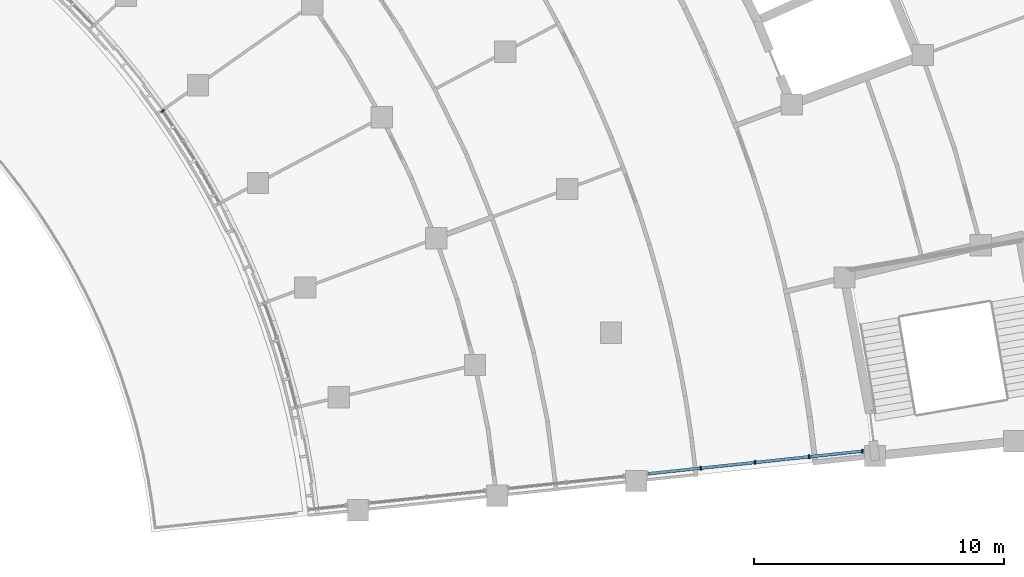
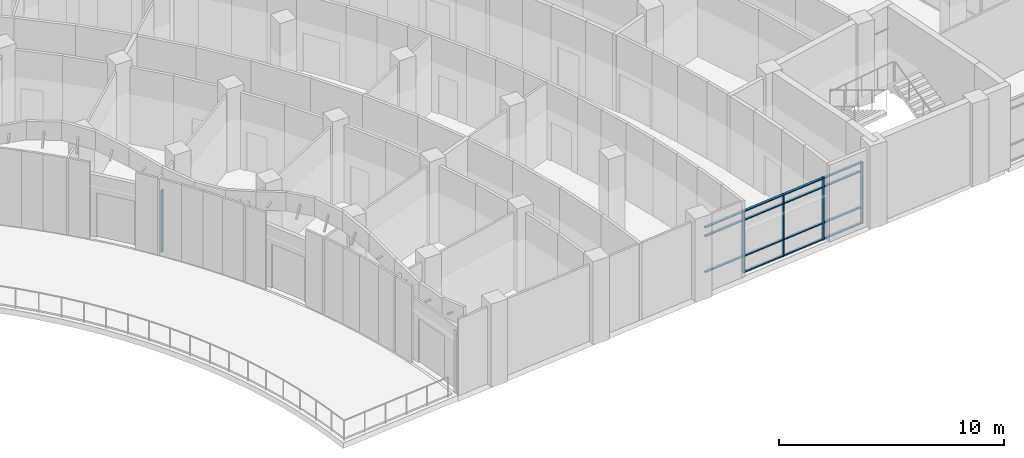
# One storey, part 29 of 136: 20 members, 2 elements without a shape of their own.
"""IFC4 building model written with IfcOpenShell, lengths in metres."""

import ifcopenshell
import ifcopenshell.guid

model = None  # the IFC model being written
_history = None  # IfcOwnerHistory: only IFC2X3 demands one
_inside = {}  # id of a spatial element -> (the spatial element, [elements in it])
_under = {}  # id of a project, library or spatial element -> (it, [spatial elements below it])
_declared = {}  # id of a project -> (the project, [libraries it declares])
_typed = {}  # id of a type object -> (the type object, [elements of that type])
_made_of = {}  # id of a material, layer set ... -> (it, [elements and type objects made of it])


def new_model(schema):
    """Start an empty IFC model of exactly this schema.

    Asked for "IFC4X3", IfcOpenShell would pick the latest addendum, in which some entities
    have other attributes; the version numbers below select the first issue.
    IFC2X3 requires an IfcOwnerHistory on every rooted entity: one is made here for all.
    """
    global model, _history
    if schema == "IFC4X3":
        model = ifcopenshell.file(schema_version=(4, 3, 0, 0))
    else:
        model = ifcopenshell.file(schema=schema)
    _inside.clear()
    _under.clear()
    _declared.clear()
    _typed.clear()
    _made_of.clear()
    _history = None
    if model.schema == "IFC2X3":
        org = make("IfcOrganization", Name="unknown")
        user = make(
            "IfcPersonAndOrganization",
            ThePerson=make("IfcPerson", FamilyName="unknown"),
            TheOrganization=org,
        )
        app = make(
            "IfcApplication",
            ApplicationDeveloper=org,
            Version="unknown",
            ApplicationFullName="unknown",
            ApplicationIdentifier="unknown",
        )
        _history = make(
            "IfcOwnerHistory",
            OwningUser=user,
            OwningApplication=app,
            ChangeAction="ADDED",
            CreationDate=0,
        )
    return model


def make(cls, **values):
    """One entity of the class cls with the attributes given. An attribute that is None is left unset."""
    return model.create_entity(
        cls, **{name: value for name, value in values.items() if value is not None}
    )


def rooted(cls, **values):
    """An entity with a GlobalId (a new one), such as an element, a storey or a relation."""
    return make(cls, GlobalId=ifcopenshell.guid.new(), OwnerHistory=_history, **values)


def si_unit(unit_type, name, prefix=None):
    """IfcSIUnit, for example si_unit("LENGTHUNIT", "METRE", prefix="MILLI")."""
    return make("IfcSIUnit", UnitType=unit_type, Prefix=prefix, Name=name)


def assignment(units):
    """IfcUnitAssignment: the units of a project."""
    return None if units is None else make("IfcUnitAssignment", Units=units)


def point(xyz):
    """IfcCartesianPoint."""
    return None if xyz is None else make("IfcCartesianPoint", Coordinates=xyz)


def direction(xyz):
    """IfcDirection."""
    return None if xyz is None else make("IfcDirection", DirectionRatios=xyz)


def frame(location, z_axis=None, x_axis=None):
    """IfcAxis2Placement3D, a coordinate frame: its origin and axes. An axis left out is left unset."""
    return make(
        "IfcAxis2Placement3D",
        Location=point(location),
        Axis=direction(z_axis),
        RefDirection=direction(x_axis),
    )


def frame_2d(location, x_axis=None):
    """IfcAxis2Placement2D, a coordinate frame in the plane: its origin and x axis."""
    return make(
        "IfcAxis2Placement2D", Location=point(location), RefDirection=direction(x_axis)
    )


def origin():
    """The frame at (0, 0, 0) with its axes left unset."""
    return frame((0.0, 0.0, 0.0))


def origin_2d():
    """The frame at (0, 0) in the plane with its x axis left unset."""
    return frame_2d((0.0, 0.0))


def place(relative_to, where):
    """IfcLocalPlacement: puts the frame where relative to a parent placement (None: the world)."""
    return make(
        "IfcLocalPlacement", PlacementRelTo=relative_to, RelativePlacement=where
    )


def context(
    kind, dimensions, precision=None, world=None, true_north=None, identifier=None
):
    """IfcGeometricRepresentationContext, for example the 3D "Model" context."""
    return make(
        "IfcGeometricRepresentationContext",
        ContextIdentifier=identifier,
        ContextType=kind,
        CoordinateSpaceDimension=dimensions,
        Precision=precision,
        WorldCoordinateSystem=world,
        TrueNorth=true_north,
    )


def subcontext(parent, identifier, kind, view, scale=None):
    """IfcGeometricRepresentationSubContext, for example "Body" below "Model"."""
    return make(
        "IfcGeometricRepresentationSubContext",
        ContextIdentifier=identifier,
        ContextType=kind,
        ParentContext=parent,
        TargetScale=scale,
        TargetView=view,
    )


def project(units=None, contexts=None):
    """IfcProject with its units and contexts."""
    return rooted(
        "IfcProject",
        Name="project",
        RepresentationContexts=contexts,
        UnitsInContext=assignment(units),
    )


def spatial(cls, under=None, at=None, **own):
    """A site, building, storey or space (cls), placed at a placement, below another one or the project."""
    s = rooted(cls, ObjectPlacement=at, **own)
    if under is not None:
        _under.setdefault(under.id(), (under, []))[1].append(s)
    return s


def profile(cls, at=None, kind="AREA", **sizes):
    """A parametric profile (cls). Its sizes go by their IFC names, for example OverallWidth=200.0."""
    return make(cls, ProfileType=kind, Position=at, **sizes)


def rectangle(**sizes):
    """IfcRectangleProfileDef."""
    return profile("IfcRectangleProfileDef", **sizes)


def extrude(swept, where, along, depth):
    """IfcExtrudedAreaSolid: the profile swept, set in the frame where, extruded along a direction by depth."""
    return make(
        "IfcExtrudedAreaSolid",
        SweptArea=swept,
        Position=where,
        ExtrudedDirection=direction(along),
        Depth=depth,
    )


def shape(context_of_items, identifier, shape_type, items):
    """IfcShapeRepresentation: the items that make up one representation, for example the "Body"."""
    return make(
        "IfcShapeRepresentation",
        ContextOfItems=context_of_items,
        RepresentationIdentifier=identifier,
        RepresentationType=shape_type,
        Items=items,
    )


def material(Name=None, Category=None):
    """IfcMaterial."""
    return make("IfcMaterial", Name=Name, Category=Category)


def material_profile(
    of_material, cross_section, Name=None, Category=None, Priority=None
):
    """IfcMaterialProfile: a cross section and its material."""
    return make(
        "IfcMaterialProfile",
        Name=Name,
        Material=of_material,
        Profile=cross_section,
        Priority=Priority,
        Category=Category,
    )


def profile_set(profiles, Name=None, composite=None):
    """IfcMaterialProfileSet."""
    return make(
        "IfcMaterialProfileSet",
        Name=Name,
        MaterialProfiles=profiles,
        CompositeProfile=composite,
    )


def made_of(thing, what):
    """Note that an element or type object is made of a material, layer set ...; save() writes the relation."""
    if what is not None:
        _made_of.setdefault(what.id(), (what, []))[1].append(thing)
    return thing


def type_object(cls, material=None, **own):
    """A type object (cls), such as IfcWallType, which elements share."""
    return made_of(rooted(cls, **own), material)


def element(
    cls,
    number,
    at=None,
    inside=None,
    cuts=None,
    type_object=None,
    material=None,
    context=None,
    identifier="Body",
    shape_type=None,
    held_by="IfcProductDefinitionShape",
    body=None,
    shapes=None,
    **own,
):
    """One element of the class cls, such as IfcWall. Its Tag is "e" and its number.

    at: its placement. inside: the storey or other place that contains it. cuts: it is an
    opening in that element (IfcRelVoidsElement). A single representation is given by context,
    identifier, shape_type and body (its items); several are given by shapes. held_by: the class
    of the entity that holds the representations. save() writes the other relations.
    """
    e = rooted(cls, Tag="e%d" % number, ObjectPlacement=at, **own)
    if body is not None:
        shapes = [shape(context, identifier, shape_type, body)]
    if shapes is not None:
        e.Representation = make(held_by, Representations=shapes)
    if inside is not None:
        _inside.setdefault(inside.id(), (inside, []))[1].append(e)
    if cuts is not None:
        rooted(
            "IfcRelVoidsElement", RelatingBuildingElement=cuts, RelatedOpeningElement=e
        )
    if type_object is not None:
        _typed.setdefault(type_object.id(), (type_object, []))[1].append(e)
    return made_of(e, material)


def aggregate(whole, parts):
    """IfcRelAggregates: a whole, such as a stair, and the parts it consists of."""
    return rooted("IfcRelAggregates", RelatingObject=whole, RelatedObjects=parts)


def save(model, path):
    """Write the relations noted so far, then the file.

    IfcRelAggregates (storeys below a building ...), IfcRelContainedInSpatialStructure (elements
    in a storey), IfcRelDefinesByType, IfcRelAssociatesMaterial and IfcRelDeclares: one each for
    every whole, place, type object, material and project.
    """
    for whole, parts in _under.values():
        aggregate(whole, parts)
    for where, things in _inside.values():
        rooted(
            "IfcRelContainedInSpatialStructure",
            RelatedElements=things,
            RelatingStructure=where,
        )
    for kind, things in _typed.values():
        rooted("IfcRelDefinesByType", RelatedObjects=things, RelatingType=kind)
    for what, things in _made_of.values():
        rooted("IfcRelAssociatesMaterial", RelatedObjects=things, RelatingMaterial=what)
    for by, libraries in _declared.values():
        rooted("IfcRelDeclares", RelatingContext=by, RelatedDefinitions=libraries)
    model.write(path)


model = new_model("IFC4")

# Units and contexts
model_context = context("Model", 3, precision=1e-05, world=origin(), true_north=direction((0.0, 1.0)))
body_context = subcontext(model_context, "Body", "Model", "MODEL_VIEW")
ifc_project = project(units=[si_unit("LENGTHUNIT", "METRE"), si_unit("AREAUNIT", "SQUARE_METRE"), si_unit("VOLUMEUNIT", "CUBIC_METRE"), si_unit("PLANEANGLEUNIT", "RADIAN"), si_unit("MASSUNIT", "GRAM", prefix="KILO")], contexts=[model_context])

# Site, building, storey
site_placement = place(None, origin())
site = spatial("IfcSite", under=ifc_project, at=site_placement, CompositionType="ELEMENT")
building_placement = place(site_placement, origin())
building = spatial("IfcBuilding", under=site, at=building_placement, Name="Bougainvillea Quay General Hospital", CompositionType="ELEMENT")
storey_placement = place(building_placement, frame((0.0, 0.0, 5.39990234375)))
storey = spatial("IfcBuildingStorey", under=building, at=storey_placement, Name="L01", CompositionType="ELEMENT", Elevation=5.39990234375)

# Curtain wall, member
ifc_material_1 = material(Name="Aluminium curtain wall system, powder-coated glazed", Category="aluminium")
curtain_wall_type_1 = type_object("IfcCurtainWallType", Name="Unitised curtain wall CW-2100", PredefinedType="NOTDEFINED", material=ifc_material_1)
curtain_wall_1_placement = place(storey_placement, origin())
curtain_wall_1 = element("IfcCurtainWall", 1, at=curtain_wall_1_placement, inside=storey, type_object=curtain_wall_type_1, Name="CW-E05 a21b4", PredefinedType="NOTDEFINED")
ifc_material_2 = material(Name="Aluminium mullion, powder-coated charcoal", Category="aluminium")
ifc_material_profile_1 = material_profile(ifc_material_2, rectangle(XDim=0.159912109375, YDim=0.06005859375, at=origin_2d()))
ifc_profile_set_1 = profile_set([ifc_material_profile_1], Name="Aluminium mullion, powder-coated charcoal")
member_type_1 = type_object("IfcMemberType", Name="Curtain wall mullion 160x60", PredefinedType="MULLION", material=ifc_profile_set_1)
member_1_placement = place(storey_placement, frame((137.18603515625, 41.743408203125, 0.0), z_axis=(0.0, 0.0, 1.0), x_axis=(0.828712107033, 0.559675123314, 0.0)))
member_1 = element("IfcMember", 2, at=member_1_placement, type_object=member_type_1, Name="CW-E05 mullion 1", PredefinedType="MULLION", context=body_context, shape_type="SweptSolid", body=[
    extrude(rectangle(XDim=0.159912109375, YDim=0.06005859375, at=origin_2d()), origin(), (0.0, 0.0, 1.0), 3.35009765625),
])
aggregate(curtain_wall_1, [member_1])

# Curtain wall, members
curtain_wall_type_2 = type_object("IfcCurtainWallType", Name="Unitised curtain wall CW-2178", PredefinedType="NOTDEFINED", material=ifc_material_1)
curtain_wall_2_placement = place(storey_placement, origin())
curtain_wall_2 = element("IfcCurtainWall", 3, at=curtain_wall_2_placement, inside=storey, type_object=curtain_wall_type_2, Name="CW-AE 03", PredefinedType="NOTDEFINED")
member_2_placement = place(storey_placement, frame((158.72314453125, 27.45654296875, 0.0), z_axis=(0.0, 0.0, 1.0), x_axis=(-0.104527173765, 0.9945220309, 0.0)))
member_2 = element("IfcMember", 4, at=member_2_placement, type_object=member_type_1, Name="CW-AE mullion 2", PredefinedType="MULLION", context=body_context, shape_type="SweptSolid", body=[
    extrude(rectangle(XDim=0.159912109375, YDim=0.06005859375, at=origin_2d()), origin(), (0.0, 0.0, 1.0), 3.35009765625),
])
member_3_placement = place(storey_placement, frame((160.888671875, 27.68408203125, 0.0), z_axis=(0.0, 0.0, 1.0), x_axis=(-0.104527173765, 0.9945220309, 0.0)))
member_3 = element("IfcMember", 5, at=member_3_placement, type_object=member_type_1, Name="CW-AE mullion 3", PredefinedType="MULLION", context=body_context, shape_type="SweptSolid", body=[
    extrude(rectangle(XDim=0.159912109375, YDim=0.06005859375, at=origin_2d()), origin(), (0.0, 0.0, 1.0), 3.35009765625),
])
member_4_placement = place(storey_placement, frame((163.05419921875, 27.91162109375, 0.0), z_axis=(0.0, 0.0, 1.0), x_axis=(-0.104527173765, 0.9945220309, 0.0)))
member_4 = element("IfcMember", 6, at=member_4_placement, type_object=member_type_1, Name="CW-AE mullion 4", PredefinedType="MULLION", context=body_context, shape_type="SweptSolid", body=[
    extrude(rectangle(XDim=0.159912109375, YDim=0.06005859375, at=origin_2d()), origin(), (0.0, 0.0, 1.0), 3.35009765625),
])
member_5_placement = place(storey_placement, frame((165.18994140625, 28.13623046875, 0.0), z_axis=(0.0, 0.0, 1.0), x_axis=(-0.104527173765, 0.9945220309, 0.0)))
member_5 = element("IfcMember", 7, at=member_5_placement, type_object=member_type_1, Name="CW-AE mullion 5", PredefinedType="MULLION", context=body_context, shape_type="SweptSolid", body=[
    extrude(rectangle(XDim=0.159912109375, YDim=0.06005859375, at=origin_2d()), origin(), (0.0, 0.0, 1.0), 3.35009765625),
])
ifc_material_3 = material(Name="Aluminium transom, powder-coated charcoal", Category="aluminium")
ifc_material_profile_2 = material_profile(ifc_material_3, rectangle(XDim=0.1201171875, YDim=0.06005859375, at=origin_2d()))
ifc_profile_set_2 = profile_set([ifc_material_profile_2], Name="Aluminium transom, powder-coated charcoal")
member_type_2 = type_object("IfcMemberType", Name="Curtain wall transom 120x60", PredefinedType="USERDEFINED", material=ifc_profile_set_2)
member_6_placement = place(storey_placement, frame((156.617431640625, 27.235107421875, 0.900146484375), z_axis=(0.994518263096, 0.104563016254, 0.0), x_axis=(-0.104563016254, 0.994518263096, 0.0)))
member_6 = element("IfcMember", 8, at=member_6_placement, type_object=member_type_2, Name="CW-AE transom 1.2", ObjectType="TRANSOM", PredefinedType="USERDEFINED", context=body_context, shape_type="SweptSolid", body=[
    extrude(rectangle(XDim=0.1201171875, YDim=0.06005859375, at=origin_2d()), origin(), (0.0, 0.0, 1.0), 2.08740234375),
])
member_7_placement = place(storey_placement, frame((156.617431640625, 27.235107421875, 2.85009765625), z_axis=(0.994518263096, 0.104563016254, 0.0), x_axis=(-0.104563016254, 0.994518263096, 0.0)))
member_7 = element("IfcMember", 9, at=member_7_placement, type_object=member_type_2, Name="CW-AE transom 1.3", ObjectType="TRANSOM", PredefinedType="USERDEFINED", context=body_context, shape_type="SweptSolid", body=[
    extrude(rectangle(XDim=0.1201171875, YDim=0.06005859375, at=origin_2d()), origin(), (0.0, 0.0, 1.0), 2.08740234375),
])
member_8_placement = place(storey_placement, frame((156.617431640625, 27.235107421875, 3.320068359375), z_axis=(0.994518263096, 0.104563016254, 0.0), x_axis=(-0.104563016254, 0.994518263096, 0.0)))
member_8 = element("IfcMember", 10, at=member_8_placement, type_object=member_type_2, Name="CW-AE transom 1.4", ObjectType="TRANSOM", PredefinedType="USERDEFINED", context=body_context, shape_type="SweptSolid", body=[
    extrude(rectangle(XDim=0.1201171875, YDim=0.06005859375, at=origin_2d()), origin(), (0.0, 0.0, 1.0), 2.08740234375),
])
member_9_placement = place(storey_placement, frame((158.753173828125, 27.459716796875, 0.030029296875), z_axis=(0.994528175058, 0.104468698737, 0.0), x_axis=(-0.104468698737, 0.994528175058, 0.0)))
member_9 = element("IfcMember", 11, at=member_9_placement, type_object=member_type_2, Name="CW-AE transom 2.1", ObjectType="TRANSOM", PredefinedType="USERDEFINED", context=body_context, shape_type="SweptSolid", body=[
    extrude(rectangle(XDim=0.1201171875, YDim=0.06005859375, at=origin_2d()), origin(), (0.0, 0.0, 1.0), 2.1171875),
])
member_10_placement = place(storey_placement, frame((158.753173828125, 27.459716796875, 0.900146484375), z_axis=(0.994528175058, 0.104468698737, 0.0), x_axis=(-0.104468698737, 0.994528175058, 0.0)))
member_10 = element("IfcMember", 12, at=member_10_placement, type_object=member_type_2, Name="CW-AE transom 2.2", ObjectType="TRANSOM", PredefinedType="USERDEFINED", context=body_context, shape_type="SweptSolid", body=[
    extrude(rectangle(XDim=0.1201171875, YDim=0.06005859375, at=origin_2d()), origin(), (0.0, 0.0, 1.0), 2.1171875),
])
member_11_placement = place(storey_placement, frame((158.753173828125, 27.459716796875, 2.85009765625), z_axis=(0.994528175058, 0.104468698737, 0.0), x_axis=(-0.104468698737, 0.994528175058, 0.0)))
member_11 = element("IfcMember", 13, at=member_11_placement, type_object=member_type_2, Name="CW-AE transom 2.3", ObjectType="TRANSOM", PredefinedType="USERDEFINED", context=body_context, shape_type="SweptSolid", body=[
    extrude(rectangle(XDim=0.1201171875, YDim=0.06005859375, at=origin_2d()), origin(), (0.0, 0.0, 1.0), 2.1171875),
])
member_12_placement = place(storey_placement, frame((158.753173828125, 27.459716796875, 3.320068359375), z_axis=(0.994528175058, 0.104468698737, 0.0), x_axis=(-0.104468698737, 0.994528175058, 0.0)))
member_12 = element("IfcMember", 14, at=member_12_placement, type_object=member_type_2, Name="CW-AE transom 2.4", ObjectType="TRANSOM", PredefinedType="USERDEFINED", context=body_context, shape_type="SweptSolid", body=[
    extrude(rectangle(XDim=0.1201171875, YDim=0.06005859375, at=origin_2d()), origin(), (0.0, 0.0, 1.0), 2.1171875),
])
member_13_placement = place(storey_placement, frame((160.91845703125, 27.687255859375, 0.030029296875), z_axis=(0.994529433275, 0.10445671998, 0.0), x_axis=(-0.10445671998, 0.994529433275, 0.0)))
member_13 = element("IfcMember", 15, at=member_13_placement, type_object=member_type_2, Name="CW-AE transom 3.1", ObjectType="TRANSOM", PredefinedType="USERDEFINED", context=body_context, shape_type="SweptSolid", body=[
    extrude(rectangle(XDim=0.1201171875, YDim=0.06005859375, at=origin_2d()), origin(), (0.0, 0.0, 1.0), 2.117431640625),
])
member_14_placement = place(storey_placement, frame((160.91845703125, 27.687255859375, 0.900146484375), z_axis=(0.994529433275, 0.10445671998, 0.0), x_axis=(-0.10445671998, 0.994529433275, 0.0)))
member_14 = element("IfcMember", 16, at=member_14_placement, type_object=member_type_2, Name="CW-AE transom 3.2", ObjectType="TRANSOM", PredefinedType="USERDEFINED", context=body_context, shape_type="SweptSolid", body=[
    extrude(rectangle(XDim=0.1201171875, YDim=0.06005859375, at=origin_2d()), origin(), (0.0, 0.0, 1.0), 2.117431640625),
])
member_15_placement = place(storey_placement, frame((160.91845703125, 27.687255859375, 2.85009765625), z_axis=(0.994529433275, 0.10445671998, 0.0), x_axis=(-0.10445671998, 0.994529433275, 0.0)))
member_15 = element("IfcMember", 17, at=member_15_placement, type_object=member_type_2, Name="CW-AE transom 3.3", ObjectType="TRANSOM", PredefinedType="USERDEFINED", context=body_context, shape_type="SweptSolid", body=[
    extrude(rectangle(XDim=0.1201171875, YDim=0.06005859375, at=origin_2d()), origin(), (0.0, 0.0, 1.0), 2.117431640625),
])
member_16_placement = place(storey_placement, frame((160.91845703125, 27.687255859375, 3.320068359375), z_axis=(0.994529433275, 0.10445671998, 0.0), x_axis=(-0.10445671998, 0.994529433275, 0.0)))
member_16 = element("IfcMember", 18, at=member_16_placement, type_object=member_type_2, Name="CW-AE transom 3.4", ObjectType="TRANSOM", PredefinedType="USERDEFINED", context=body_context, shape_type="SweptSolid", body=[
    extrude(rectangle(XDim=0.1201171875, YDim=0.06005859375, at=origin_2d()), origin(), (0.0, 0.0, 1.0), 2.117431640625),
])
member_17_placement = place(storey_placement, frame((163.083984375, 27.914794921875, 0.030029296875), z_axis=(0.994519541656, 0.10455085492, 0.0), x_axis=(-0.10455085492, 0.994519541656, 0.0)))
member_17 = element("IfcMember", 19, at=member_17_placement, type_object=member_type_2, Name="CW-AE transom 4.1", ObjectType="TRANSOM", PredefinedType="USERDEFINED", context=body_context, shape_type="SweptSolid", body=[
    extrude(rectangle(XDim=0.1201171875, YDim=0.06005859375, at=origin_2d()), origin(), (0.0, 0.0, 1.0), 2.087646484375),
])
member_18_placement = place(storey_placement, frame((163.083984375, 27.914794921875, 0.900146484375), z_axis=(0.994519541656, 0.10455085492, 0.0), x_axis=(-0.10455085492, 0.994519541656, 0.0)))
member_18 = element("IfcMember", 20, at=member_18_placement, type_object=member_type_2, Name="CW-AE transom 4.2", ObjectType="TRANSOM", PredefinedType="USERDEFINED", context=body_context, shape_type="SweptSolid", body=[
    extrude(rectangle(XDim=0.1201171875, YDim=0.06005859375, at=origin_2d()), origin(), (0.0, 0.0, 1.0), 2.087646484375),
])
member_19_placement = place(storey_placement, frame((163.083984375, 27.914794921875, 2.85009765625), z_axis=(0.994519541656, 0.10455085492, 0.0), x_axis=(-0.10455085492, 0.994519541656, 0.0)))
member_19 = element("IfcMember", 21, at=member_19_placement, type_object=member_type_2, Name="CW-AE transom 4.3", ObjectType="TRANSOM", PredefinedType="USERDEFINED", context=body_context, shape_type="SweptSolid", body=[
    extrude(rectangle(XDim=0.1201171875, YDim=0.06005859375, at=origin_2d()), origin(), (0.0, 0.0, 1.0), 2.087646484375),
])
member_20_placement = place(storey_placement, frame((163.083984375, 27.914794921875, 3.320068359375), z_axis=(0.994519541656, 0.10455085492, 0.0), x_axis=(-0.10455085492, 0.994519541656, 0.0)))
member_20 = element("IfcMember", 22, at=member_20_placement, type_object=member_type_2, Name="CW-AE transom 4.4", ObjectType="TRANSOM", PredefinedType="USERDEFINED", context=body_context, shape_type="SweptSolid", body=[
    extrude(rectangle(XDim=0.1201171875, YDim=0.06005859375, at=origin_2d()), origin(), (0.0, 0.0, 1.0), 2.087646484375),
])
aggregate(curtain_wall_2, [member_2, member_3, member_4, member_5, member_6, member_7, member_8, member_9, member_10, member_11, member_12, member_13, member_14, member_15, member_16, member_17, member_18, member_19, member_20])

save(model, "model.ifc")
